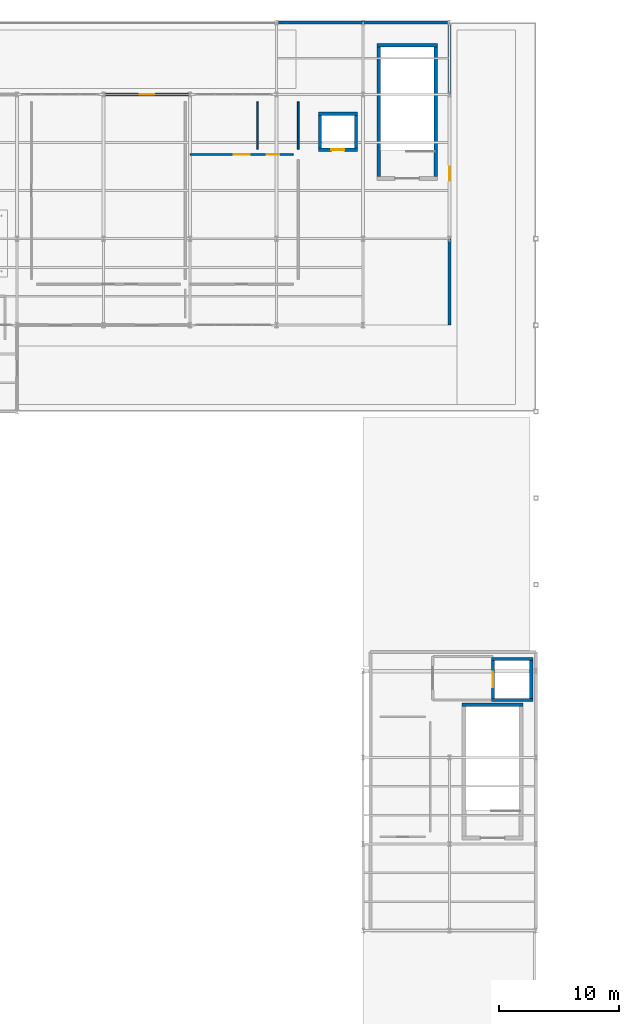
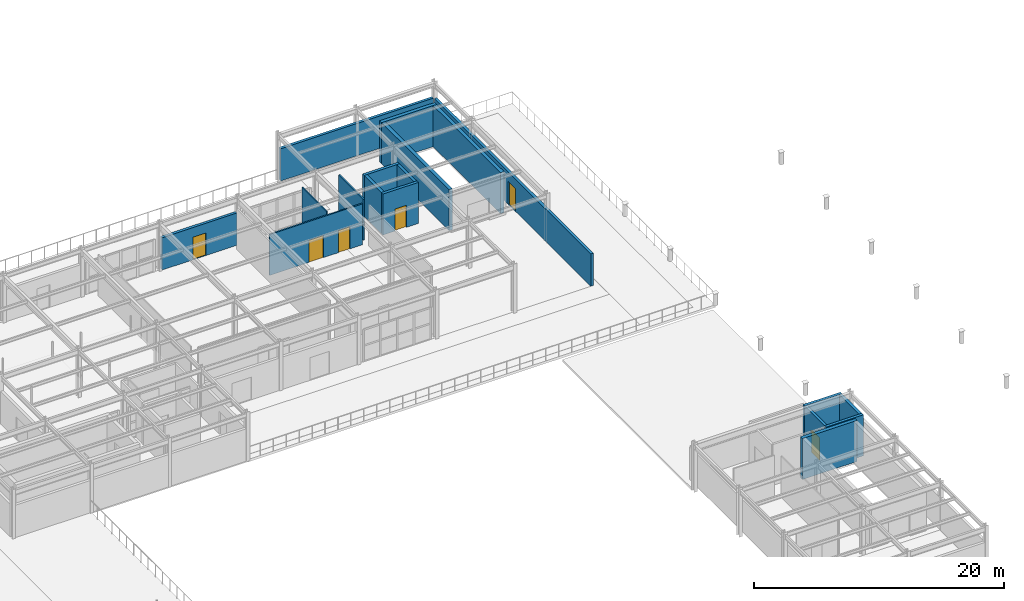
# One storey, part 36 of 41: 18 walls, 6 doors, 6 openings.
"""IFC4 building model written with IfcOpenShell, lengths in metres."""

from ifc_helpers import new_model, si_unit, direction, frame, frame_2d, origin, place, context, subcontext, project, spatial, rectangle, extrude, material, layer, layer_set, type_object, element, fill, save


model = new_model("IFC4")

# Units and contexts
model_context = context("Model", 3, precision=1e-05, world=origin(), true_north=direction((0.0, 1.0)))
body_context = subcontext(model_context, "Body", "Model", "MODEL_VIEW")
ifc_project = project(units=[si_unit("LENGTHUNIT", "METRE"), si_unit("AREAUNIT", "SQUARE_METRE"), si_unit("VOLUMEUNIT", "CUBIC_METRE"), si_unit("PLANEANGLEUNIT", "RADIAN"), si_unit("MASSUNIT", "GRAM", prefix="KILO")], contexts=[model_context])

# Site, building, storey
site_placement = place(None, origin())
site = spatial("IfcSite", under=ifc_project, at=site_placement, CompositionType="ELEMENT")
building_placement = place(site_placement, origin())
building = spatial("IfcBuilding", under=site, at=building_placement, Name="Solvadek Multi-Sports Hall", CompositionType="ELEMENT")
storey_placement = place(building_placement, frame((0.0, 0.0, 14.39990234375)))
storey = spatial("IfcBuildingStorey", under=building, at=storey_placement, Name="L03", CompositionType="ELEMENT", Elevation=14.39990234375)

# Wall, opening, door
ifc_material_1 = material(Name="Dressed honey-cream limestone ashlar", Category="masonry")
ifc_layer_1 = layer(ifc_material_1, 0.25, Name="Dressed honey-cream limestone ashlar")
ifc_layer_set_1 = layer_set([ifc_layer_1], Name="Dressed honey-cream limestone ashlar")
wall_type_1 = type_object("IfcWallType", Name="ENV-WAL-EXT250", PredefinedType="SOLIDWALL", material=ifc_layer_set_1)
wall_1_placement = place(storey_placement, frame((36.154052734375, 104.39990234375, 0.0), z_axis=(0.0, 0.0, 1.0), x_axis=(1.0, 0.0, 0.0)))
wall_1 = element("IfcWall", 1, at=wall_1_placement, inside=storey, type_object=wall_type_1, Name="L03 Exterior Masonry Wall #295", PredefinedType="SOLIDWALL", context=body_context, shape_type="SweptSolid", body=[
    extrude(rectangle(XDim=6.891845703125, YDim=0.25, at=frame_2d((3.44580078125, 0.0))), origin(), (0.0, 0.0, 1.0), 3.150146484375),
])
opening_1_placement = place(wall_1_placement, frame((2.845947265625, 0.0, 0.0)))
opening_1 = element("IfcOpeningElement", 2, at=opening_1_placement, cuts=wall_1, Name="Opening D-TRK1", PredefinedType="OPENING", context=body_context, shape_type="SweptSolid", body=[
    extrude(rectangle(XDim=1.199951171875, YDim=2.199951171875, at=frame_2d((0.60009765625, 1.10009765625))), frame((0.0, 0.135009765625, 0.0), z_axis=(0.0, -1.0, 0.0), x_axis=(1.0, 0.0, 0.0)), (0.0, 0.0, 1.0), 0.27001953125),
])
ifc_material_2 = material(Name="Anodised aluminium", Category="aluminium")
door_type_1 = type_object("IfcDoorType", Name="ENV-DOR-TRK120X220", OperationType="NOTDEFINED", PredefinedType="DOOR", material=ifc_material_2)
door_1_placement = place(opening_1_placement, origin())
door_1 = element("IfcDoor", 3, at=door_1_placement, inside=storey, type_object=door_type_1, Name="Pavilion North Track Access Door", OperationType="SINGLE_SWING_LEFT", OverallHeight=2.199951171875, OverallWidth=1.199951171875, PredefinedType="DOOR", context=body_context, shape_type="SweptSolid", body=[
    extrude(rectangle(XDim=1.199951171875, YDim=2.199951171875, at=frame_2d((0.60009765625, 1.10009765625))), frame((0.0, 0.02490234375, 0.0), z_axis=(0.0, -1.0, 0.0), x_axis=(1.0, 0.0, 0.0)), (0.0, 0.0, 1.0), 0.050048828125),
])
fill(opening_1, door_1)

# Wall
wall_2_placement = place(storey_placement, frame((50.553955078125, 110.39990234375, 0.0), z_axis=(0.0, 0.0, 1.0), x_axis=(1.0, 0.0, 0.0)))
element("IfcWall", 4, at=wall_2_placement, inside=storey, type_object=wall_type_1, Name="L03 Exterior Masonry Wall #300", PredefinedType="SOLIDWALL", context=body_context, shape_type="SweptSolid", body=[
    extrude(rectangle(XDim=14.092041015625, YDim=0.25, at=frame_2d((7.0458984375, 0.0))), origin(), (0.0, 0.0, 1.0), 3.150146484375),
])

# Wall, opening, door
wall_3_placement = place(storey_placement, frame((64.800048828125, 85.199951171875, 0.0), z_axis=(0.0, 0.0, 1.0), x_axis=(0.0, 1.0, 0.0)))
wall_3 = element("IfcWall", 5, at=wall_3_placement, inside=storey, type_object=wall_type_1, Name="L03 Exterior Masonry Wall #301", PredefinedType="SOLIDWALL", context=body_context, shape_type="SweptSolid", body=[
    extrude(rectangle(XDim=24.99609375, YDim=0.25, at=frame_2d((12.498046875, 0.0))), origin(), (0.0, 0.0, 1.0), 3.150146484375),
])
opening_2_placement = place(wall_3_placement, frame((12.0, 0.0, 0.0)))
opening_2 = element("IfcOpeningElement", 6, at=opening_2_placement, cuts=wall_3, Name="Opening D-TRK1", PredefinedType="OPENING", context=body_context, shape_type="SweptSolid", body=[
    extrude(rectangle(XDim=1.199951171875, YDim=2.199951171875, at=frame_2d((0.60009765625, 1.10009765625))), frame((0.0, 0.135009765625, 0.0), z_axis=(0.0, -1.0, 0.0), x_axis=(1.0, 0.0, 0.0)), (0.0, 0.0, 1.0), 0.27001953125),
])
door_2_placement = place(opening_2_placement, frame((1.199951171875, 0.0, 0.0), z_axis=(0.0, 0.0, 1.0), x_axis=(-1.0, 0.0, 0.0)))
door_2 = element("IfcDoor", 7, at=door_2_placement, inside=storey, type_object=door_type_1, Name="Headhouse Track Access Door", OperationType="SINGLE_SWING_RIGHT", OverallHeight=2.199951171875, OverallWidth=1.199951171875, PredefinedType="DOOR", context=body_context, shape_type="SweptSolid", body=[
    extrude(rectangle(XDim=1.199951171875, YDim=2.199951171875, at=frame_2d((0.60009765625, 1.10009765625))), frame((0.0, 0.02490234375, 0.0), z_axis=(0.0, -1.0, 0.0), x_axis=(1.0, 0.0, 0.0)), (0.0, 0.0, 1.0), 0.050048828125),
])
fill(opening_2, door_2)

# Wall
ifc_material_3 = material(Name="Autoclaved aerated concrete blockwork", Category="masonry")
ifc_layer_2 = layer(ifc_material_3, 0.10498046875, Name="Autoclaved aerated concrete blockwork")
ifc_layer_set_2 = layer_set([ifc_layer_2], Name="Autoclaved aerated concrete blockwork")
wall_type_2 = type_object("IfcWallType", Name="INT-WAL-PRT105", PredefinedType="PARTITIONING", material=ifc_layer_set_2)
wall_4_placement = place(storey_placement, frame((48.800048828125, 99.824951171875, 0.0), z_axis=(0.0, 0.0, 1.0), x_axis=(0.0, 1.0, 0.0)))
element("IfcWall", 8, at=wall_4_placement, inside=storey, type_object=wall_type_2, Name="L03 Partition Wall L03-05 E", PredefinedType="PARTITIONING", context=body_context, shape_type="SweptSolid", body=[
    extrude(rectangle(XDim=3.955078125, YDim=0.10498046875, at=frame_2d((1.9775390625, 0.0))), origin(), (0.0, 0.0, 1.0), 3.985107421875),
])

# Wall, openings, doors
ifc_layer_3 = layer(ifc_material_3, 0.135009765625, Name="Autoclaved aerated concrete blockwork")
ifc_layer_set_3 = layer_set([ifc_layer_3], Name="Autoclaved aerated concrete blockwork")
wall_type_3 = type_object("IfcWallType", Name="INT-WAL-PRT135", PredefinedType="PARTITIONING", material=ifc_layer_set_3)
wall_5_placement = place(storey_placement, frame((43.22509765625, 99.39990234375, 0.0), z_axis=(0.0, 0.0, 1.0), x_axis=(1.0, 0.0, 0.0)))
wall_5 = element("IfcWall", 9, at=wall_5_placement, inside=storey, type_object=wall_type_3, Name="L03 Partition Wall L03-03 N", PredefinedType="PARTITIONING", context=body_context, shape_type="SweptSolid", body=[
    extrude(rectangle(XDim=8.554931640625, YDim=0.135009765625, at=frame_2d((4.27734375, 0.0))), origin(), (0.0, 0.0, 1.0), 3.985107421875),
])
opening_3_placement = place(wall_5_placement, frame((3.6025390625, 0.0, 0.0)))
opening_3 = element("IfcOpeningElement", 10, at=opening_3_placement, cuts=wall_5, Name="Opening D-03", PredefinedType="OPENING", context=body_context, shape_type="SweptSolid", body=[
    extrude(rectangle(XDim=1.35009765625, YDim=2.14990234375, at=frame_2d((0.675048828125, 1.074951171875))), frame((0.0, 0.077392578125, 0.0), z_axis=(0.0, -1.0, 0.0), x_axis=(1.0, 0.0, 0.0)), (0.0, 0.0, 1.0), 0.155029296875),
])
opening_4_placement = place(wall_5_placement, frame((6.3525390625, 0.0, 0.0)))
opening_4 = element("IfcOpeningElement", 11, at=opening_4_placement, cuts=wall_5, Name="Opening D-ACC", PredefinedType="OPENING", context=body_context, shape_type="SweptSolid", body=[
    extrude(rectangle(XDim=1.050048828125, YDim=2.14990234375, at=frame_2d((0.52490234375, 1.074951171875))), frame((0.0, 0.077392578125, 0.0), z_axis=(0.0, -1.0, 0.0), x_axis=(1.0, 0.0, 0.0)), (0.0, 0.0, 1.0), 0.155029296875),
])
ifc_material_4 = material(Name="Teak hardwood timber", Category="wood")
door_type_2 = type_object("IfcDoorType", Name="INT-DOR-ACC105X215", OperationType="NOTDEFINED", PredefinedType="DOOR", material=ifc_material_4)
door_3_placement = place(opening_4_placement, origin())
door_3 = element("IfcDoor", 12, at=door_3_placement, inside=storey, type_object=door_type_2, Name="L03 L03-06 Door #60", OperationType="SINGLE_SWING_LEFT", OverallHeight=2.14990234375, OverallWidth=1.050048828125, PredefinedType="DOOR", context=body_context, shape_type="SweptSolid", body=[
    extrude(rectangle(XDim=1.050048828125, YDim=2.14990234375, at=frame_2d((0.52490234375, 1.074951171875))), frame((0.0, 0.02490234375, 0.0), z_axis=(0.0, -1.0, 0.0), x_axis=(1.0, 0.0, 0.0)), (0.0, 0.0, 1.0), 0.050048828125),
])
fill(opening_4, door_3)
door_type_3 = type_object("IfcDoorType", Name="INT-DOR-CHG135X215", OperationType="NOTDEFINED", PredefinedType="DOOR", material=ifc_material_4)
door_4_placement = place(opening_3_placement, origin())
door_4 = element("IfcDoor", 13, at=door_4_placement, inside=storey, type_object=door_type_3, Name="L03 L03-05 Door #59", OperationType="SINGLE_SWING_RIGHT", OverallHeight=2.14990234375, OverallWidth=1.35009765625, PredefinedType="DOOR", context=body_context, shape_type="SweptSolid", body=[
    extrude(rectangle(XDim=1.35009765625, YDim=2.14990234375, at=frame_2d((0.675048828125, 1.074951171875))), frame((0.0, 0.02490234375, 0.0), z_axis=(0.0, -1.0, 0.0), x_axis=(1.0, 0.0, 0.0)), (0.0, 0.0, 1.0), 0.050048828125),
])
fill(opening_3, door_4)

# Walls
wall_6_placement = place(storey_placement, frame((52.199951171875, 99.824951171875, 0.0), z_axis=(0.0, 0.0, 1.0), x_axis=(0.0, 1.0, 0.0)))
element("IfcWall", 14, at=wall_6_placement, inside=storey, type_object=wall_type_3, Name="L03 Partition Wall L03-06 E", PredefinedType="PARTITIONING", context=body_context, shape_type="SweptSolid", body=[
    extrude(rectangle(XDim=3.955078125, YDim=0.135009765625, at=frame_2d((1.9775390625, 0.0))), origin(), (0.0, 0.0, 1.0), 3.985107421875),
])
ifc_material_5 = material(Name="Concrete M40", Category="concrete")
ifc_layer_4 = layer(ifc_material_5, 0.260009765625, Name="Concrete M40")
ifc_layer_set_4 = layer_set([ifc_layer_4], Name="Concrete M40")
wall_type_4 = type_object("IfcWallType", Name="INT-WAL-SHR260", PredefinedType="SHEAR", material=ifc_layer_set_4)
for number, where, z_axis, x_axis, name in (
    (15, (68.27001953125, 54.0, 0.0), (0.0, 0.0, 1.0), (1.0, 0.0, 0.0), "Lift LF-02 Shaft Shear Wall L03 south"),
    (16, (68.27001953125, 57.39990234375, 0.0), (0.0, 0.0, 1.0), (1.0, 0.0, 0.0), "Lift LF-02 Shaft Shear Wall L03 north"),
):
    element("IfcWall", number, at=place(storey_placement, frame(where, z_axis=z_axis, x_axis=x_axis)), inside=storey, type_object=wall_type_4, Name=name, PredefinedType="SHEAR", context=body_context, shape_type="SweptSolid", body=[
        extrude(rectangle(XDim=3.4599609375, YDim=0.260009765625, at=frame_2d((1.72998046875, 0.0))), origin(), (0.0, 0.0, 1.0), 4.0),
    ])

# Wall, opening, door
wall_7_placement = place(storey_placement, frame((68.39990234375, 54.1298828125, 0.0), z_axis=(0.0, 0.0, 1.0), x_axis=(0.0, 1.0, 0.0)))
wall_7 = element("IfcWall", 17, at=wall_7_placement, inside=storey, type_object=wall_type_4, Name="Lift LF-02 Shaft Shear Wall L03 west", PredefinedType="SHEAR", context=body_context, shape_type="SweptSolid", body=[
    extrude(rectangle(XDim=3.14013671875, YDim=0.260009765625, at=frame_2d((1.570068359375, 0.0))), origin(), (0.0, 0.0, 1.0), 4.0),
])
opening_5_placement = place(wall_7_placement, frame((0.919921875, 0.0, 0.0)))
opening_5 = element("IfcOpeningElement", 18, at=opening_5_placement, cuts=wall_7, Name="Opening LD-10", PredefinedType="OPENING", context=body_context, shape_type="SweptSolid", body=[
    extrude(rectangle(XDim=1.300048828125, YDim=2.199951171875, at=frame_2d((0.64990234375, 1.10009765625))), frame((0.0, 0.139892578125, 0.0), z_axis=(0.0, -1.0, 0.0), x_axis=(1.0, 0.0, 0.0)), (0.0, 0.0, 1.0), 0.280029296875),
])
door_type_4 = type_object("IfcDoorType", Name="INT-DOR-LD130X220", OperationType="DOUBLE_DOOR_SLIDING", PredefinedType="DOOR", material=ifc_material_2)
door_5_placement = place(opening_5_placement, origin())
door_5 = element("IfcDoor", 19, at=door_5_placement, inside=storey, type_object=door_type_4, Name="L03 Lift LF-02 Sliding Landing Door LD-10", OperationType="DOUBLE_DOOR_SLIDING", OverallHeight=2.199951171875, OverallWidth=1.300048828125, PredefinedType="DOOR", context=body_context, shape_type="SweptSolid", body=[
    extrude(rectangle(XDim=1.300048828125, YDim=2.199951171875, at=frame_2d((0.64990234375, 1.10009765625))), frame((0.0, 0.02490234375, 0.0), z_axis=(0.0, -1.0, 0.0), x_axis=(1.0, 0.0, 0.0)), (0.0, 0.0, 1.0), 0.050048828125),
])
fill(opening_5, door_5)

# Wall
wall_8_placement = place(storey_placement, frame((71.60009765625, 54.1298828125, 0.0), z_axis=(0.0, 0.0, 1.0), x_axis=(0.0, 1.0, 0.0)))
element("IfcWall", 20, at=wall_8_placement, inside=storey, type_object=wall_type_4, Name="Lift LF-02 Shaft Shear Wall L03 east", PredefinedType="SHEAR", context=body_context, shape_type="SweptSolid", body=[
    extrude(rectangle(XDim=3.14013671875, YDim=0.260009765625, at=frame_2d((1.570068359375, 0.0))), origin(), (0.0, 0.0, 1.0), 4.0),
])

# Wall, opening, door
wall_9_placement = place(storey_placement, frame((53.8701171875, 99.800048828125, 0.0), z_axis=(0.0, 0.0, 1.0), x_axis=(1.0, 0.0, 0.0)))
wall_9 = element("IfcWall", 21, at=wall_9_placement, inside=storey, type_object=wall_type_4, Name="Lift LP-01 Shaft Shear Wall L03 south", PredefinedType="SHEAR", context=body_context, shape_type="SweptSolid", body=[
    extrude(rectangle(XDim=3.259765625, YDim=0.260009765625, at=frame_2d((1.6298828125, 0.0))), origin(), (0.0, 0.0, 1.0), 4.0),
])
opening_6_placement = place(wall_9_placement, frame((1.080078125, 0.0, 0.0)))
opening_6 = element("IfcOpeningElement", 22, at=opening_6_placement, cuts=wall_9, Name="Opening LD-15", PredefinedType="OPENING", context=body_context, shape_type="SweptSolid", body=[
    extrude(rectangle(XDim=1.10009765625, YDim=2.14990234375, at=frame_2d((0.550048828125, 1.074951171875))), frame((0.0, 0.139892578125, 0.0), z_axis=(0.0, -1.0, 0.0), x_axis=(1.0, 0.0, 0.0)), (0.0, 0.0, 1.0), 0.280029296875),
])
door_type_5 = type_object("IfcDoorType", Name="INT-DOR-LD110X215", OperationType="DOUBLE_DOOR_SLIDING", PredefinedType="DOOR", material=ifc_material_2)
door_6_placement = place(opening_6_placement, origin())
door_6 = element("IfcDoor", 23, at=door_6_placement, inside=storey, type_object=door_type_5, Name="L03 Lift LP-01 Sliding Landing Door LD-15", OperationType="DOUBLE_DOOR_SLIDING", OverallHeight=2.14990234375, OverallWidth=1.10009765625, PredefinedType="DOOR", context=body_context, shape_type="SweptSolid", body=[
    extrude(rectangle(XDim=1.10009765625, YDim=2.14990234375, at=frame_2d((0.550048828125, 1.074951171875))), frame((0.0, 0.02490234375, 0.0), z_axis=(0.0, -1.0, 0.0), x_axis=(1.0, 0.0, 0.0)), (0.0, 0.0, 1.0), 0.050048828125),
])
fill(opening_6, door_6)

# Walls
wall_10_placement = place(storey_placement, frame((53.8701171875, 102.800048828125, 0.0), z_axis=(0.0, 0.0, 1.0), x_axis=(1.0, 0.0, 0.0)))
element("IfcWall", 24, at=wall_10_placement, inside=storey, type_object=wall_type_4, Name="Lift LP-01 Shaft Shear Wall L03 north", PredefinedType="SHEAR", context=body_context, shape_type="SweptSolid", body=[
    extrude(rectangle(XDim=3.259765625, YDim=0.260009765625, at=frame_2d((1.6298828125, 0.0))), origin(), (0.0, 0.0, 1.0), 4.0),
])
for number, where, z_axis, x_axis, name in (
    (25, (54.0, 99.929931640625, 0.0), (0.0, 0.0, 1.0), (0.0, 1.0, 0.0), "Lift LP-01 Shaft Shear Wall L03 west"),
    (26, (57.0, 99.929931640625, 0.0), (0.0, 0.0, 1.0), (0.0, 1.0, 0.0), "Lift LP-01 Shaft Shear Wall L03 east"),
):
    element("IfcWall", number, at=place(storey_placement, frame(where, z_axis=z_axis, x_axis=x_axis)), inside=storey, type_object=wall_type_4, Name=name, PredefinedType="SHEAR", context=body_context, shape_type="SweptSolid", body=[
        extrude(rectangle(XDim=2.739990234375, YDim=0.260009765625, at=frame_2d((1.3701171875, 0.0))), origin(), (0.0, 0.0, 1.0), 4.0),
    ])
ifc_layer_5 = layer(ifc_material_5, 0.320068359375, Name="Concrete M40")
ifc_layer_set_5 = layer_set([ifc_layer_5], Name="Concrete M40")
wall_type_5 = type_object("IfcWallType", Name="INT-WAL-SHR320", PredefinedType="SHEAR", material=ifc_layer_set_5)
wall_11_placement = place(storey_placement, frame((58.739990234375, 108.5, 0.0), z_axis=(0.0, 0.0, 1.0), x_axis=(1.0, 0.0, 0.0)))
element("IfcWall", 27, at=wall_11_placement, inside=storey, type_object=wall_type_5, Name="L03 Stair ST-03 Shear Wall N", PredefinedType="SHEAR", context=body_context, shape_type="SweptSolid", body=[
    extrude(rectangle(XDim=5.070068359375, YDim=0.320068359375, at=frame_2d((2.53515625, 0.0))), origin(), (0.0, 0.0, 1.0), 4.0),
])
for number, where, z_axis, x_axis, name in (
    (28, (58.89990234375, 97.56005859375, 0.0), (0.0, 0.0, 1.0), (0.0, 1.0, 0.0), "L03 Stair ST-03 Shear Wall W"),
    (29, (63.64990234375, 97.56005859375, 0.0), (0.0, 0.0, 1.0), (0.0, 1.0, 0.0), "L03 Stair ST-03 Shear Wall E"),
):
    element("IfcWall", number, at=place(storey_placement, frame(where, z_axis=z_axis, x_axis=x_axis)), inside=storey, type_object=wall_type_5, Name=name, PredefinedType="SHEAR", context=body_context, shape_type="SweptSolid", body=[
        extrude(rectangle(XDim=10.780029296875, YDim=0.320068359375, at=frame_2d((5.39013671875, 0.0))), origin(), (0.0, 0.0, 1.0), 4.0),
    ])
wall_12_placement = place(storey_placement, frame((65.840087890625, 53.60009765625, 0.0), z_axis=(0.0, 0.0, 1.0), x_axis=(1.0, 0.0, 0.0)))
element("IfcWall", 30, at=wall_12_placement, inside=storey, type_object=wall_type_5, Name="L03 Stair ST-04 Shear Wall N", PredefinedType="SHEAR", context=body_context, shape_type="SweptSolid", body=[
    extrude(rectangle(XDim=5.06982421875, YDim=0.320068359375, at=frame_2d((2.534912109375, 0.0))), origin(), (0.0, 0.0, 1.0), 4.0),
])

save(model, "model.ifc")
